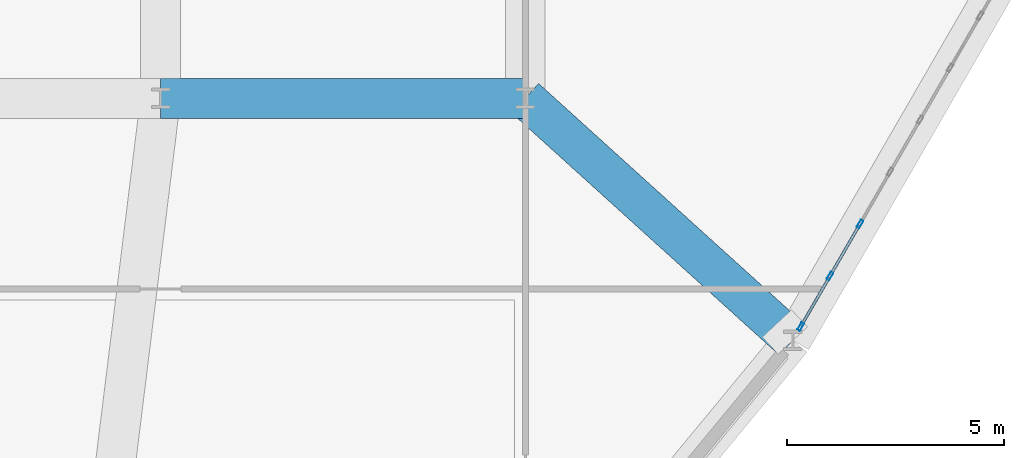
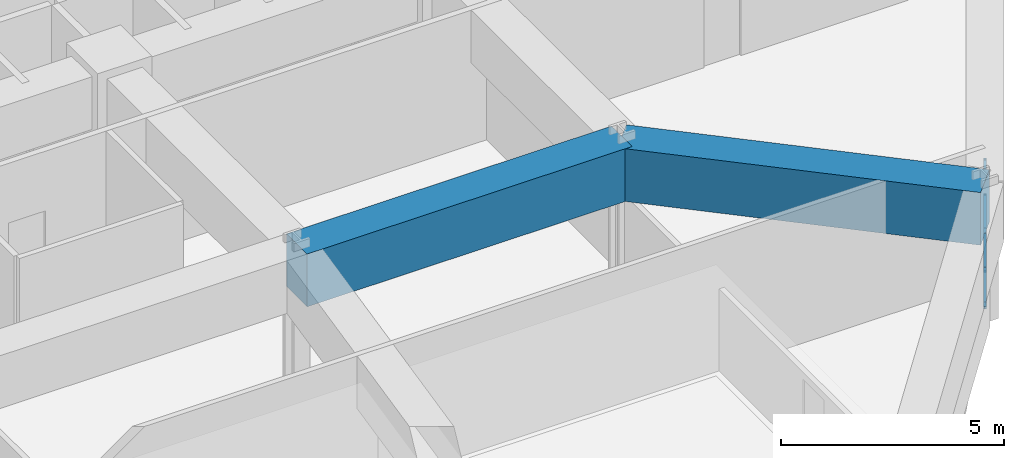
# One storey, part 6 of 20: 7 members, 2 beams, 1 element without a shape of its own.
"""IFC4 building model written with IfcOpenShell, lengths in metres."""

from ifc_helpers import new_model, si_unit, derived_unit, direction, frame, origin, origin_2d, place, context, subcontext, project, spatial, rectangle, hollow_rectangle, extrude, source, transform, mapped, material, layer, layer_set, material_profile, profile_set, type_object, element, aggregate, save


model = new_model("IFC4")

# Units and contexts
model_context = context("Model", 3, precision=1e-05, world=origin(), true_north=direction((0.0, 1.0)))
body_context = subcontext(model_context, "Body", "Model", "MODEL_VIEW")
ifc_project = project(units=[si_unit("LENGTHUNIT", "METRE"), si_unit("AREAUNIT", "SQUARE_METRE"), si_unit("VOLUMEUNIT", "CUBIC_METRE"), si_unit("PLANEANGLEUNIT", "RADIAN"), si_unit("MASSUNIT", "GRAM", prefix="KILO"), derived_unit("THERMALTRANSMITTANCEUNIT", [(si_unit("POWERUNIT", "WATT"), 1), (si_unit("LENGTHUNIT", "METRE"), -2), (si_unit("THERMODYNAMICTEMPERATUREUNIT", "KELVIN"), -1)])], contexts=[model_context])

# Site, building, storey
site_placement = place(None, origin())
site = spatial("IfcSite", under=ifc_project, at=site_placement, CompositionType="ELEMENT")
building_placement = place(site_placement, origin())
building = spatial("IfcBuilding", under=site, at=building_placement, Name="Korsvarv Bourse and Concert Hall", CompositionType="ELEMENT")
storey_placement = place(building_placement, frame((0.0, 0.0, 43.5)))
storey = spatial("IfcBuildingStorey", under=building, at=storey_placement, Name="L10", CompositionType="ELEMENT", Elevation=43.5)

# Beams
ifc_material_1 = material(Name="Concrete C50/60", Category="concrete")
ifc_material_profile_1 = material_profile(ifc_material_1, rectangle(XDim=0.919921875, YDim=1.43994140625, at=origin_2d()), Name="RC-BM 920x1440")
ifc_profile_set_1 = profile_set([ifc_material_profile_1], Name="Concrete C50/60")
beam_type = type_object("IfcBeamType", Name="BM-TR-144", PredefinedType="BEAM", material=ifc_profile_set_1)
shared_shape_1 = source(origin(), body_context, "Body", "SweptSolid", [
    extrude(rectangle(XDim=0.919921875, YDim=1.43994140625, at=origin_2d()), origin(), (0.0, 0.0, 1.0), 8.39990234375),
])
beam_1_placement = place(storey_placement, frame((36.0, 24.0, 2.9599609375), z_axis=(1.0, 0.0, 0.0), x_axis=(0.0, 1.0, 0.0)))
element("IfcBeam", 1, at=beam_1_placement, inside=storey, type_object=beam_type, Name="L10 beam B-TR4", PredefinedType="BEAM", context=body_context, shape_type="MappedRepresentation", body=[
    mapped(shared_shape_1, transform((0.0, 0.0, 0.0), scale=1.0)),
])
shared_shape_2 = source(origin(), body_context, "Body", "SweptSolid", [
    extrude(rectangle(XDim=0.919921875, YDim=1.43994140625, at=origin_2d()), origin(), (0.0, 0.0, 1.0), 8.31298828125),
])
beam_2_placement = place(storey_placement, frame((50.563720703125, 18.422119140625, 2.9599609375), z_axis=(-0.741470373588, 0.670985607216, 0.0), x_axis=(-0.670985607216, -0.741470373588, 0.0)))
element("IfcBeam", 2, at=beam_2_placement, inside=storey, type_object=beam_type, Name="L10 beam B-TR4", PredefinedType="BEAM", context=body_context, shape_type="MappedRepresentation", body=[
    mapped(shared_shape_2, transform((0.0, 0.0, 0.0), scale=1.0)),
])

# Curtain wall, members
ifc_material_2 = material(Name="Anodised aluminium and triple low-E glazing", Category="glass")
ifc_layer = layer(ifc_material_2, 0.219970703125)
ifc_layer_set = layer_set([ifc_layer], Name="Anodised aluminium and triple low-E glazing")
curtain_wall_type = type_object("IfcCurtainWallType", Name="CW-SYS-1", PredefinedType="NOTDEFINED", material=ifc_layer_set)
curtain_wall_placement = place(storey_placement, origin())
curtain_wall = element("IfcCurtainWall", 3, at=curtain_wall_placement, inside=storey, type_object=curtain_wall_type, Name="L10 CW1 curtain wall CW-L10-F11", PredefinedType="NOTDEFINED")
ifc_material_3 = material(Name="Extruded aluminium EN AW-6063 T66", Category="aluminium")
ifc_material_profile_2 = material_profile(ifc_material_3, hollow_rectangle(XDim=0.070068359375, YDim=0.18994140625, WallThickness=0.0048828125, at=origin_2d()), Name="ALU-M 70x190")
ifc_profile_set_2 = profile_set([ifc_material_profile_2], Name="Extruded aluminium EN AW-6063 T66")
member_type_1 = type_object("IfcMemberType", Name="CWM-190", PredefinedType="MULLION", material=ifc_profile_set_2)
shared_shape_3 = source(origin(), body_context, "Body", "SweptSolid", [
    extrude(hollow_rectangle(XDim=0.070068359375, YDim=0.18994140625, WallThickness=0.0048828125, at=origin_2d()), origin(), (0.0, 0.0, 1.0), 2.080078125),
])
member_1_placement = place(storey_placement, frame((50.746826171875, 18.7392578125, 0.0), z_axis=(0.0, 0.0, 1.0), x_axis=(-0.866025616828, 0.499999630998, 0.0)))
member_1 = element("IfcMember", 4, at=member_1_placement, type_object=member_type_1, Name="CW1 mullion 1", PredefinedType="MULLION", context=body_context, shape_type="MappedRepresentation", body=[
    mapped(shared_shape_3, transform((0.0, 0.0, 0.0), scale=1.0)),
])
member_2_placement = place(storey_placement, frame((51.421142578125, 19.9072265625, 0.0), z_axis=(0.0, 0.0, 1.0), x_axis=(-0.866025616828, 0.499999630998, 0.0)))
member_2 = element("IfcMember", 5, at=member_2_placement, type_object=member_type_1, Name="CW1 mullion 2", PredefinedType="MULLION", context=body_context, shape_type="MappedRepresentation", body=[
    mapped(shared_shape_3, transform((0.0, 0.0, 0.0), scale=1.0)),
])
member_3_placement = place(storey_placement, frame((52.113037109375, 21.10546875, 0.0), z_axis=(0.0, 0.0, 1.0), x_axis=(-0.866025616828, 0.499999630998, 0.0)))
member_3 = element("IfcMember", 6, at=member_3_placement, type_object=member_type_1, Name="CW1 mullion 3", PredefinedType="MULLION", context=body_context, shape_type="MappedRepresentation", body=[
    mapped(shared_shape_3, transform((0.0, 0.0, 0.0), scale=1.0)),
])
ifc_material_profile_3 = material_profile(ifc_material_3, hollow_rectangle(XDim=0.06494140625, YDim=0.139892578125, WallThickness=0.00390625, at=origin_2d()), Name="ALU-T 65x140")
ifc_profile_set_3 = profile_set([ifc_material_profile_3], Name="Extruded aluminium EN AW-6063 T66")
member_type_2 = type_object("IfcMemberType", Name="CWT-140", PredefinedType="USERDEFINED", material=ifc_profile_set_3)
shared_shape_4 = source(origin(), body_context, "Body", "SweptSolid", [
    extrude(hollow_rectangle(XDim=0.06494140625, YDim=0.139892578125, WallThickness=0.00390625, at=origin_2d()), origin(), (0.0, 0.0, 1.0), 1.27880859375),
])
member_4_placement = place(storey_placement, frame((50.764404296875, 18.76953125, 0.032470703125), z_axis=(0.50001992892, 0.866013897511, 0.0), x_axis=(-0.866013897511, 0.50001992892, 0.0)))
member_4 = element("IfcMember", 7, at=member_4_placement, type_object=member_type_2, Name="CW1 transom 1.1", ObjectType="TRANSOM", PredefinedType="USERDEFINED", context=body_context, shape_type="MappedRepresentation", body=[
    mapped(shared_shape_4, transform((0.0, 0.0, 0.0), scale=1.0)),
])
member_5_placement = place(storey_placement, frame((50.764404296875, 18.76953125, 2.047607421875), z_axis=(0.50001992892, 0.866013897511, 0.0), x_axis=(-0.866013897511, 0.50001992892, 0.0)))
member_5 = element("IfcMember", 8, at=member_5_placement, type_object=member_type_2, Name="CW1 transom 1.2", ObjectType="TRANSOM", PredefinedType="USERDEFINED", context=body_context, shape_type="MappedRepresentation", body=[
    mapped(shared_shape_4, transform((0.0, 0.0, 0.0), scale=1.0)),
])
shared_shape_5 = source(origin(), body_context, "Body", "SweptSolid", [
    extrude(hollow_rectangle(XDim=0.06494140625, YDim=0.139892578125, WallThickness=0.00390625, at=origin_2d()), origin(), (0.0, 0.0, 1.0), 1.313720703125),
])
member_6_placement = place(storey_placement, frame((51.438720703125, 19.9375, 0.032470703125), z_axis=(0.499936960004, 0.866061796884, 0.0), x_axis=(-0.866061796884, 0.499936960004, 0.0)))
member_6 = element("IfcMember", 9, at=member_6_placement, type_object=member_type_2, Name="CW1 transom 2.1", ObjectType="TRANSOM", PredefinedType="USERDEFINED", context=body_context, shape_type="MappedRepresentation", body=[
    mapped(shared_shape_5, transform((0.0, 0.0, 0.0), scale=1.0)),
])
member_7_placement = place(storey_placement, frame((51.438720703125, 19.9375, 2.047607421875), z_axis=(0.499936960004, 0.866061796884, 0.0), x_axis=(-0.866061796884, 0.499936960004, 0.0)))
member_7 = element("IfcMember", 10, at=member_7_placement, type_object=member_type_2, Name="CW1 transom 2.2", ObjectType="TRANSOM", PredefinedType="USERDEFINED", context=body_context, shape_type="MappedRepresentation", body=[
    mapped(shared_shape_5, transform((0.0, 0.0, 0.0), scale=1.0)),
])
aggregate(curtain_wall, [member_1, member_2, member_3, member_4, member_5, member_6, member_7])

save(model, "model.ifc")
